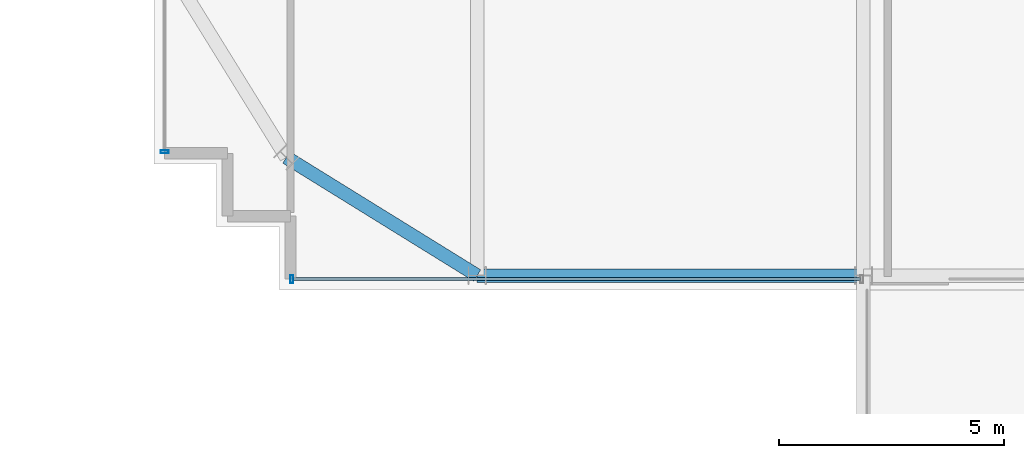
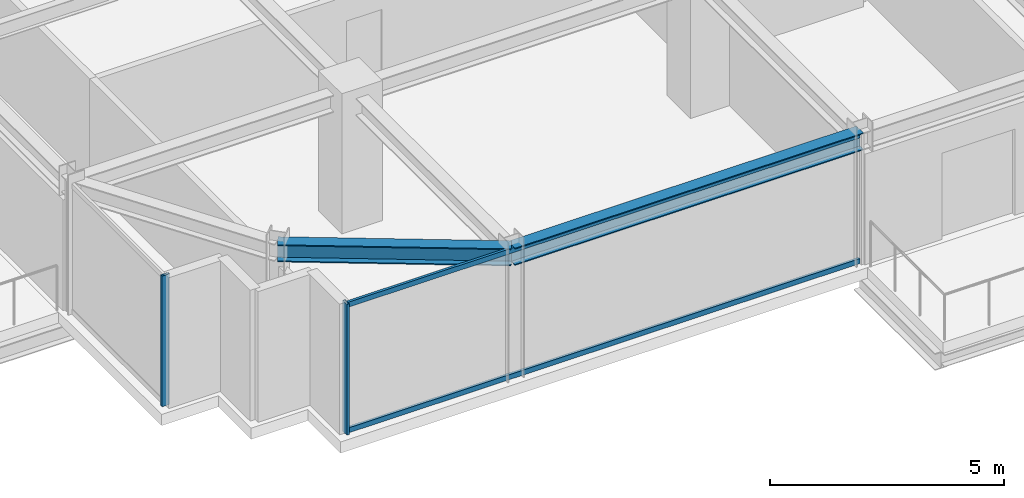
# One storey, part 3 of 32: 4 members, 2 beams, 2 elements without a shape of their own.
"""IFC4 building model written with IfcOpenShell, lengths in metres."""

from ifc_helpers import new_model, si_unit, direction, frame, origin, origin_2d, place, context, subcontext, project, spatial, hollow_rectangle, i_section, extrude, source, transform, mapped, material, material_profile, profile_set, type_object, element, aggregate, save


model = new_model("IFC4")

# Units and contexts
model_context = context("Model", 3, precision=1e-05, world=origin(), true_north=direction((0.0, 1.0)))
body_context = subcontext(model_context, "Body", "Model", "MODEL_VIEW")
ifc_project = project(units=[si_unit("LENGTHUNIT", "METRE"), si_unit("AREAUNIT", "SQUARE_METRE"), si_unit("VOLUMEUNIT", "CUBIC_METRE"), si_unit("PLANEANGLEUNIT", "RADIAN"), si_unit("MASSUNIT", "GRAM", prefix="KILO")], contexts=[model_context])

# Site, building, storey
site_placement = place(None, origin())
site = spatial("IfcSite", under=ifc_project, at=site_placement, CompositionType="ELEMENT")
building_placement = place(site_placement, origin())
building = spatial("IfcBuilding", under=site, at=building_placement, Name="Nahalor Promenade Grand Hotel", CompositionType="ELEMENT")
storey_placement = place(building_placement, frame((0.0, 0.0, 230.800048828125)))
storey = spatial("IfcBuildingStorey", under=building, at=storey_placement, Name="L59", CompositionType="ELEMENT", Elevation=230.800048828125)

# Beams
ifc_material_1 = material(Name="Steel S355JR", Category="steel")
ifc_material_profile_1 = material_profile(ifc_material_1, i_section(OverallWidth=0.3, OverallDepth=0.45, WebThickness=0.014, FlangeThickness=0.026, at=origin_2d()), Name="HEB 450")
ifc_profile_set_1 = profile_set([ifc_material_profile_1], Name="Steel S355JR")
beam_type = type_object("IfcBeamType", Name="Beam-Spandrel-HEB450", PredefinedType="SPANDREL", material=ifc_profile_set_1)
shared_shape_1 = source(origin(), body_context, "Body", "SweptSolid", [
    extrude(i_section(OverallWidth=0.3, OverallDepth=0.45, WebThickness=0.014, FlangeThickness=0.026, at=origin_2d()), origin(), (0.0, 0.0, 1.0), 8.60009765625),
])
beam_1_placement = place(storey_placement, frame((-17.0, -23.8798828125, 3.18505859375), z_axis=(1.0, 0.0, 0.0), x_axis=(0.0, 1.0, 0.0)))
element("IfcBeam", 1, at=beam_1_placement, inside=storey, type_object=beam_type, Name="BM-L59-SP-S-0", PredefinedType="SPANDREL", context=body_context, shape_type="MappedRepresentation", body=[
    mapped(shared_shape_1, transform((0.0, 0.0, 0.0), scale=1.0)),
])
shared_shape_2 = source(origin(), body_context, "Body", "SweptSolid", [
    extrude(i_section(OverallWidth=0.3, OverallDepth=0.45, WebThickness=0.014, FlangeThickness=0.026, at=origin_2d()), origin(), (0.0, 0.0, 1.0), 4.997802734375),
])
beam_2_placement = place(storey_placement, frame((-17.0, -23.8798828125, 3.18505859375), z_axis=(-0.850360908404, 0.526199891161, 0.0), x_axis=(-0.526199891161, -0.850360908404, 0.0)))
element("IfcBeam", 2, at=beam_2_placement, inside=storey, type_object=beam_type, Name="BM-L59-SPC-SW-1", PredefinedType="SPANDREL", context=body_context, shape_type="MappedRepresentation", body=[
    mapped(shared_shape_2, transform((0.0, 0.0, 0.0), scale=1.0)),
])

# Curtain wall, members
ifc_material_2 = material(Name="Anodised Bronze Aluminium EN AW-6063 T6", Category="aluminium")
curtain_wall_type = type_object("IfcCurtainWallType", Name="CW2 Typical Hotel Flush Bronze Unitised Curtain Wall", PredefinedType="USERDEFINED", material=ifc_material_2)
curtain_wall_1_placement = place(storey_placement, origin())
curtain_wall_1 = element("IfcCurtainWall", 3, at=curtain_wall_1_placement, inside=storey, type_object=curtain_wall_type, Name="L59 Curtain Wall CW-L59-S-1", ObjectType="UNITISED_CURTAIN_WALL", PredefinedType="USERDEFINED")
ifc_material_profile_2 = material_profile(ifc_material_2, hollow_rectangle(XDim=0.065, YDim=0.13, WallThickness=0.004, at=origin_2d()), Name="CWT 65x130x4")
ifc_profile_set_2 = profile_set([ifc_material_profile_2], Name="Anodised Bronze Aluminium EN AW-6063 T6")
member_type_1 = type_object("IfcMemberType", Name="CWT2 Typical Bronze Transom 65x130", PredefinedType="USERDEFINED", material=ifc_profile_set_2)
shared_shape_3 = source(origin(), body_context, "Body", "SweptSolid", [
    extrude(hollow_rectangle(XDim=0.065, YDim=0.13, WallThickness=0.004, at=origin_2d()), origin(), (0.0, 0.0, 1.0), 12.6298828125),
])
member_1_placement = place(storey_placement, frame((-21.094970703125, -23.9599609375, 0.06494140625), z_axis=(1.0, 0.0, 0.0), x_axis=(0.0, 1.0, 0.0)))
member_1 = element("IfcMember", 4, at=member_1_placement, type_object=member_type_1, Name="CW-L59-S-1 Transom 0-0", ObjectType="TRANSOM", PredefinedType="USERDEFINED", context=body_context, shape_type="MappedRepresentation", body=[
    mapped(shared_shape_3, transform((0.0, 0.0, 0.0), scale=1.0)),
])
member_2_placement = place(storey_placement, frame((-21.094970703125, -23.9599609375, 3.344970703125), z_axis=(1.0, 0.0, 0.0), x_axis=(0.0, 1.0, 0.0)))
member_2 = element("IfcMember", 5, at=member_2_placement, type_object=member_type_1, Name="CW-L59-S-1 Transom 0-1", ObjectType="TRANSOM", PredefinedType="USERDEFINED", context=body_context, shape_type="MappedRepresentation", body=[
    mapped(shared_shape_3, transform((0.0, 0.0, 0.0), scale=1.0)),
])
ifc_material_profile_3 = material_profile(ifc_material_2, hollow_rectangle(XDim=0.065, YDim=0.18, WallThickness=0.004, at=origin_2d()), Name="CWM 65x180x4")
ifc_profile_set_3 = profile_set([ifc_material_profile_3], Name="Anodised Bronze Aluminium EN AW-6063 T6")
member_type_2 = type_object("IfcMemberType", Name="CWM2 Typical Bronze Mullion 65x180", PredefinedType="MULLION", material=ifc_profile_set_3)
shared_shape_4 = source(origin(), body_context, "Body", "SweptSolid", [
    extrude(hollow_rectangle(XDim=0.065, YDim=0.18, WallThickness=0.004, at=origin_2d()), origin(), (0.0, 0.0, 1.0), 3.409912109375),
])
member_3_placement = place(storey_placement, frame((-21.12744140625, -23.9599609375, 0.0), z_axis=(0.0, 0.0, 1.0), x_axis=(1.0, 0.0, 0.0)))
member_3 = element("IfcMember", 6, at=member_3_placement, type_object=member_type_2, Name="CW-L59-S-1 Mullion 0", PredefinedType="MULLION", context=body_context, shape_type="MappedRepresentation", body=[
    mapped(shared_shape_4, transform((0.0, 0.0, 0.0), scale=1.0)),
])
aggregate(curtain_wall_1, [member_3, member_1, member_2])

# Curtain wall, member
curtain_wall_2_placement = place(storey_placement, origin())
curtain_wall_2 = element("IfcCurtainWall", 7, at=curtain_wall_2_placement, inside=storey, type_object=curtain_wall_type, Name="L59 Curtain Wall CW-L59-W-1", ObjectType="UNITISED_CURTAIN_WALL", PredefinedType="USERDEFINED")
member_4_placement = place(storey_placement, frame((-23.9599609375, -21.12744140625, 0.0), z_axis=(0.0, 0.0, 1.0), x_axis=(0.0, 1.0, 0.0)))
member_4 = element("IfcMember", 8, at=member_4_placement, type_object=member_type_2, Name="CW-L59-W-1 Mullion 0", PredefinedType="MULLION", context=body_context, shape_type="MappedRepresentation", body=[
    mapped(shared_shape_4, transform((0.0, 0.0, 0.0), scale=1.0)),
])
aggregate(curtain_wall_2, [member_4])

save(model, "model.ifc")
